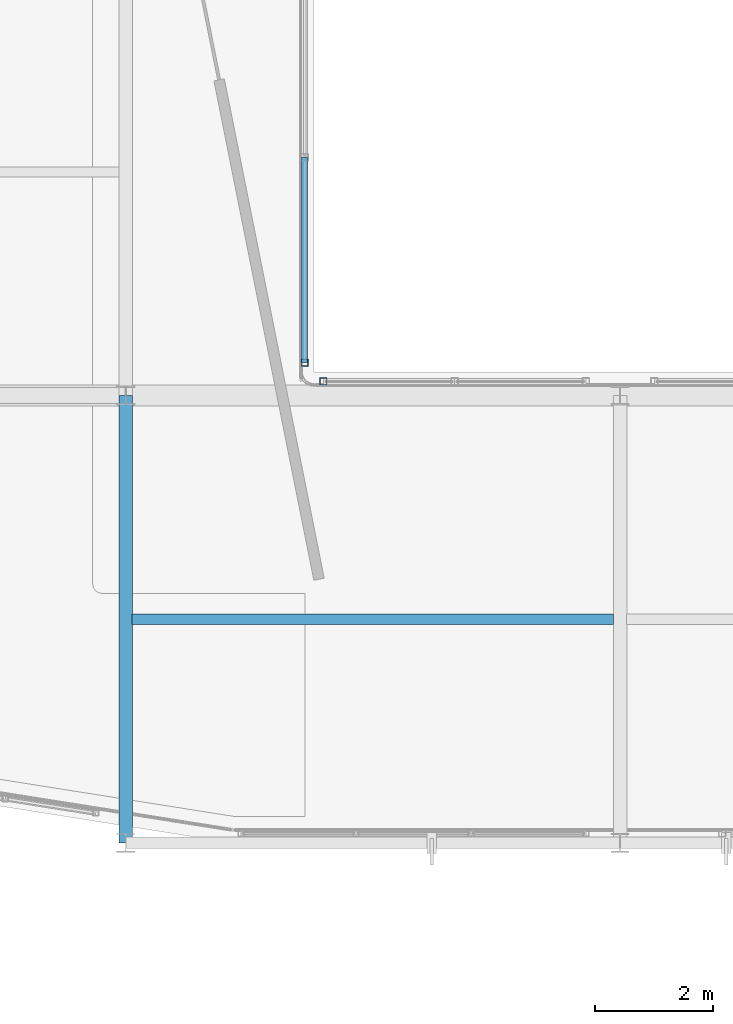
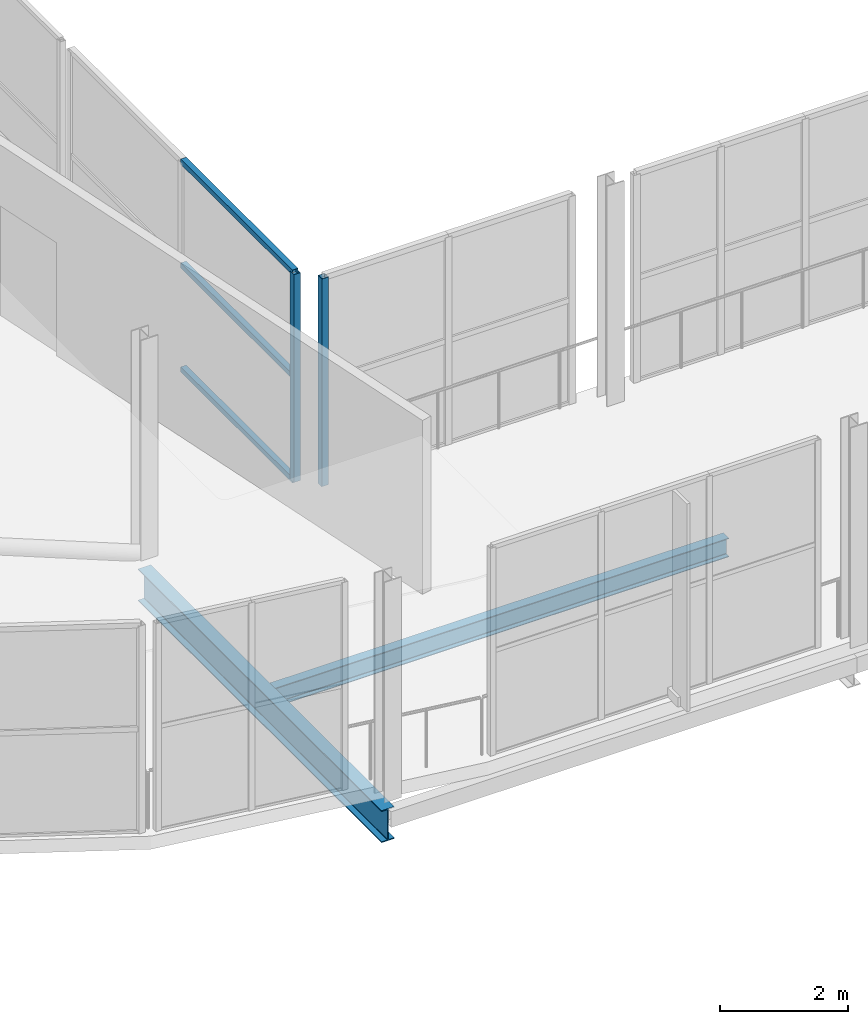
# One storey, part 18 of 151: 5 members, 2 beams, 2 elements without a shape of their own.
"""IFC4 building model written with IfcOpenShell, lengths in metres."""

import ifcopenshell
import ifcopenshell.guid

model = None  # the IFC model being written
_history = None  # IfcOwnerHistory: only IFC2X3 demands one
_inside = {}  # id of a spatial element -> (the spatial element, [elements in it])
_under = {}  # id of a project, library or spatial element -> (it, [spatial elements below it])
_declared = {}  # id of a project -> (the project, [libraries it declares])
_typed = {}  # id of a type object -> (the type object, [elements of that type])
_made_of = {}  # id of a material, layer set ... -> (it, [elements and type objects made of it])


def new_model(schema):
    """Start an empty IFC model of exactly this schema.

    Asked for "IFC4X3", IfcOpenShell would pick the latest addendum, in which some entities
    have other attributes; the version numbers below select the first issue.
    IFC2X3 requires an IfcOwnerHistory on every rooted entity: one is made here for all.
    """
    global model, _history
    if schema == "IFC4X3":
        model = ifcopenshell.file(schema_version=(4, 3, 0, 0))
    else:
        model = ifcopenshell.file(schema=schema)
    _inside.clear()
    _under.clear()
    _declared.clear()
    _typed.clear()
    _made_of.clear()
    _history = None
    if model.schema == "IFC2X3":
        org = make("IfcOrganization", Name="unknown")
        user = make(
            "IfcPersonAndOrganization",
            ThePerson=make("IfcPerson", FamilyName="unknown"),
            TheOrganization=org,
        )
        app = make(
            "IfcApplication",
            ApplicationDeveloper=org,
            Version="unknown",
            ApplicationFullName="unknown",
            ApplicationIdentifier="unknown",
        )
        _history = make(
            "IfcOwnerHistory",
            OwningUser=user,
            OwningApplication=app,
            ChangeAction="ADDED",
            CreationDate=0,
        )
    return model


def make(cls, **values):
    """One entity of the class cls with the attributes given. An attribute that is None is left unset."""
    return model.create_entity(
        cls, **{name: value for name, value in values.items() if value is not None}
    )


def rooted(cls, **values):
    """An entity with a GlobalId (a new one), such as an element, a storey or a relation."""
    return make(cls, GlobalId=ifcopenshell.guid.new(), OwnerHistory=_history, **values)


def si_unit(unit_type, name, prefix=None):
    """IfcSIUnit, for example si_unit("LENGTHUNIT", "METRE", prefix="MILLI")."""
    return make("IfcSIUnit", UnitType=unit_type, Prefix=prefix, Name=name)


def assignment(units):
    """IfcUnitAssignment: the units of a project."""
    return None if units is None else make("IfcUnitAssignment", Units=units)


def point(xyz):
    """IfcCartesianPoint."""
    return None if xyz is None else make("IfcCartesianPoint", Coordinates=xyz)


def direction(xyz):
    """IfcDirection."""
    return None if xyz is None else make("IfcDirection", DirectionRatios=xyz)


def frame(location, z_axis=None, x_axis=None):
    """IfcAxis2Placement3D, a coordinate frame: its origin and axes. An axis left out is left unset."""
    return make(
        "IfcAxis2Placement3D",
        Location=point(location),
        Axis=direction(z_axis),
        RefDirection=direction(x_axis),
    )


def frame_2d(location, x_axis=None):
    """IfcAxis2Placement2D, a coordinate frame in the plane: its origin and x axis."""
    return make(
        "IfcAxis2Placement2D", Location=point(location), RefDirection=direction(x_axis)
    )


def origin():
    """The frame at (0, 0, 0) with its axes left unset."""
    return frame((0.0, 0.0, 0.0))


def origin_2d():
    """The frame at (0, 0) in the plane with its x axis left unset."""
    return frame_2d((0.0, 0.0))


def place(relative_to, where):
    """IfcLocalPlacement: puts the frame where relative to a parent placement (None: the world)."""
    return make(
        "IfcLocalPlacement", PlacementRelTo=relative_to, RelativePlacement=where
    )


def context(
    kind, dimensions, precision=None, world=None, true_north=None, identifier=None
):
    """IfcGeometricRepresentationContext, for example the 3D "Model" context."""
    return make(
        "IfcGeometricRepresentationContext",
        ContextIdentifier=identifier,
        ContextType=kind,
        CoordinateSpaceDimension=dimensions,
        Precision=precision,
        WorldCoordinateSystem=world,
        TrueNorth=true_north,
    )


def subcontext(parent, identifier, kind, view, scale=None):
    """IfcGeometricRepresentationSubContext, for example "Body" below "Model"."""
    return make(
        "IfcGeometricRepresentationSubContext",
        ContextIdentifier=identifier,
        ContextType=kind,
        ParentContext=parent,
        TargetScale=scale,
        TargetView=view,
    )


def project(units=None, contexts=None):
    """IfcProject with its units and contexts."""
    return rooted(
        "IfcProject",
        Name="project",
        RepresentationContexts=contexts,
        UnitsInContext=assignment(units),
    )


def spatial(cls, under=None, at=None, **own):
    """A site, building, storey or space (cls), placed at a placement, below another one or the project."""
    s = rooted(cls, ObjectPlacement=at, **own)
    if under is not None:
        _under.setdefault(under.id(), (under, []))[1].append(s)
    return s


def profile(cls, at=None, kind="AREA", **sizes):
    """A parametric profile (cls). Its sizes go by their IFC names, for example OverallWidth=200.0."""
    return make(cls, ProfileType=kind, Position=at, **sizes)


def hollow_rectangle(**sizes):
    """IfcRectangleHollowProfileDef."""
    return profile("IfcRectangleHollowProfileDef", **sizes)


def i_section(**sizes):
    """IfcIShapeProfileDef."""
    return profile("IfcIShapeProfileDef", **sizes)


def extrude(swept, where, along, depth):
    """IfcExtrudedAreaSolid: the profile swept, set in the frame where, extruded along a direction by depth."""
    return make(
        "IfcExtrudedAreaSolid",
        SweptArea=swept,
        Position=where,
        ExtrudedDirection=direction(along),
        Depth=depth,
    )


def shape(context_of_items, identifier, shape_type, items):
    """IfcShapeRepresentation: the items that make up one representation, for example the "Body"."""
    return make(
        "IfcShapeRepresentation",
        ContextOfItems=context_of_items,
        RepresentationIdentifier=identifier,
        RepresentationType=shape_type,
        Items=items,
    )


def material(Name=None, Category=None):
    """IfcMaterial."""
    return make("IfcMaterial", Name=Name, Category=Category)


def material_profile(
    of_material, cross_section, Name=None, Category=None, Priority=None
):
    """IfcMaterialProfile: a cross section and its material."""
    return make(
        "IfcMaterialProfile",
        Name=Name,
        Material=of_material,
        Profile=cross_section,
        Priority=Priority,
        Category=Category,
    )


def profile_set(profiles, Name=None, composite=None):
    """IfcMaterialProfileSet."""
    return make(
        "IfcMaterialProfileSet",
        Name=Name,
        MaterialProfiles=profiles,
        CompositeProfile=composite,
    )


def made_of(thing, what):
    """Note that an element or type object is made of a material, layer set ...; save() writes the relation."""
    if what is not None:
        _made_of.setdefault(what.id(), (what, []))[1].append(thing)
    return thing


def type_object(cls, material=None, **own):
    """A type object (cls), such as IfcWallType, which elements share."""
    return made_of(rooted(cls, **own), material)


def element(
    cls,
    number,
    at=None,
    inside=None,
    cuts=None,
    type_object=None,
    material=None,
    context=None,
    identifier="Body",
    shape_type=None,
    held_by="IfcProductDefinitionShape",
    body=None,
    shapes=None,
    **own,
):
    """One element of the class cls, such as IfcWall. Its Tag is "e" and its number.

    at: its placement. inside: the storey or other place that contains it. cuts: it is an
    opening in that element (IfcRelVoidsElement). A single representation is given by context,
    identifier, shape_type and body (its items); several are given by shapes. held_by: the class
    of the entity that holds the representations. save() writes the other relations.
    """
    e = rooted(cls, Tag="e%d" % number, ObjectPlacement=at, **own)
    if body is not None:
        shapes = [shape(context, identifier, shape_type, body)]
    if shapes is not None:
        e.Representation = make(held_by, Representations=shapes)
    if inside is not None:
        _inside.setdefault(inside.id(), (inside, []))[1].append(e)
    if cuts is not None:
        rooted(
            "IfcRelVoidsElement", RelatingBuildingElement=cuts, RelatedOpeningElement=e
        )
    if type_object is not None:
        _typed.setdefault(type_object.id(), (type_object, []))[1].append(e)
    return made_of(e, material)


def aggregate(whole, parts):
    """IfcRelAggregates: a whole, such as a stair, and the parts it consists of."""
    return rooted("IfcRelAggregates", RelatingObject=whole, RelatedObjects=parts)


def save(model, path):
    """Write the relations noted so far, then the file.

    IfcRelAggregates (storeys below a building ...), IfcRelContainedInSpatialStructure (elements
    in a storey), IfcRelDefinesByType, IfcRelAssociatesMaterial and IfcRelDeclares: one each for
    every whole, place, type object, material and project.
    """
    for whole, parts in _under.values():
        aggregate(whole, parts)
    for where, things in _inside.values():
        rooted(
            "IfcRelContainedInSpatialStructure",
            RelatedElements=things,
            RelatingStructure=where,
        )
    for kind, things in _typed.values():
        rooted("IfcRelDefinesByType", RelatedObjects=things, RelatingType=kind)
    for what, things in _made_of.values():
        rooted("IfcRelAssociatesMaterial", RelatedObjects=things, RelatingMaterial=what)
    for by, libraries in _declared.values():
        rooted("IfcRelDeclares", RelatingContext=by, RelatedDefinitions=libraries)
    model.write(path)


model = new_model("IFC4")

# Units and contexts
model_context = context("Model", 3, precision=1e-05, world=origin(), true_north=direction((0.0, 1.0)))
body_context = subcontext(model_context, "Body", "Model", "MODEL_VIEW")
ifc_project = project(units=[si_unit("LENGTHUNIT", "METRE"), si_unit("AREAUNIT", "SQUARE_METRE"), si_unit("VOLUMEUNIT", "CUBIC_METRE"), si_unit("PLANEANGLEUNIT", "RADIAN"), si_unit("MASSUNIT", "GRAM", prefix="KILO")], contexts=[model_context])

# Site, building, storey
site_placement = place(None, origin())
site = spatial("IfcSite", under=ifc_project, at=site_placement, CompositionType="ELEMENT")
building_placement = place(site_placement, origin())
building = spatial("IfcBuilding", under=site, at=building_placement, Name="Zuvorla Pavilion Media Centre", CompositionType="ELEMENT")
storey_placement = place(building_placement, frame((0.0, 0.0, 13.800048828125)))
storey = spatial("IfcBuildingStorey", under=building, at=storey_placement, Name="L03", CompositionType="ELEMENT", Elevation=13.800048828125)

# Beams
ifc_material_1 = material(Name="Steel S355", Category="steel")
ifc_material_profile_1 = material_profile(ifc_material_1, i_section(OverallWidth=0.172119140625, OverallDepth=0.35791015625, WebThickness=0.008056640625, FlangeThickness=0.012939453125, FilletRadius=0.01025390625, at=origin_2d()), Name="UB 356x171x57")
ifc_profile_set_1 = profile_set([ifc_material_profile_1], Name="Steel S355")
beam_type_1 = type_object("IfcBeamType", Name="BM-UB356", PredefinedType="JOIST", material=ifc_profile_set_1)
beam_1_placement = place(storey_placement, frame((24.909423828125, 47.800048828125, -0.43701171875), z_axis=(1.0, 0.0, 0.0), x_axis=(0.0, 1.0, 0.0)))
element("IfcBeam", 1, at=beam_1_placement, inside=storey, type_object=beam_type_1, Name="L03 joist J03 1236", PredefinedType="JOIST", context=body_context, shape_type="SweptSolid", body=[
    extrude(i_section(OverallWidth=0.172119140625, OverallDepth=0.35791015625, WebThickness=0.008056640625, FlangeThickness=0.012939453125, FilletRadius=0.01025390625, at=origin_2d()), origin(), (0.0, 0.0, 1.0), 8.18115234375),
])
ifc_material_profile_2 = material_profile(ifc_material_1, i_section(OverallWidth=0.22900390625, OverallDepth=0.6123046875, WebThickness=0.011962890625, FlangeThickness=0.01953125, FilletRadius=0.0126953125, at=origin_2d()), Name="UB 610x229x125")
ifc_profile_set_2 = profile_set([ifc_material_profile_2], Name="Steel S355")
beam_type_2 = type_object("IfcBeamType", Name="BM-UB610", PredefinedType="BEAM", material=ifc_profile_set_2)
beam_2_placement = place(storey_placement, frame((24.800048828125, 44.0, -0.564208984375), z_axis=(0.0, 1.0, 0.0), x_axis=(-1.0, 0.0, 0.0)))
element("IfcBeam", 2, at=beam_2_placement, inside=storey, type_object=beam_type_2, Name="L03 beam B07 1151", PredefinedType="BEAM", context=body_context, shape_type="SweptSolid", body=[
    extrude(i_section(OverallWidth=0.22900390625, OverallDepth=0.6123046875, WebThickness=0.011962890625, FlangeThickness=0.01953125, FilletRadius=0.0126953125, at=origin_2d()), origin(), (0.0, 0.0, 1.0), 7.60009765625),
])

# Curtain wall, member
ifc_material_2 = material(Name="Unitised anodised aluminium and solar glass curtain wall", Category="aluminium")
curtain_wall_type_1 = type_object("IfcCurtainWallType", Name="CW-SYS-28", PredefinedType="USERDEFINED", material=ifc_material_2)
curtain_wall_1_placement = place(storey_placement, origin())
curtain_wall_1 = element("IfcCurtainWall", 3, at=curtain_wall_1_placement, inside=storey, type_object=curtain_wall_type_1, Name="L03 curtain wall CW28 148", ObjectType="CURTAIN WALL", PredefinedType="USERDEFINED")
ifc_material_3 = material(Name="Anodised aluminium 6063-T6", Category="aluminium")
ifc_material_profile_3 = material_profile(ifc_material_3, hollow_rectangle(XDim=0.1201171875, YDim=0.1201171875, WallThickness=0.0048828125, at=origin_2d()), Name="ALU MULL 120x120")
ifc_profile_set_3 = profile_set([ifc_material_profile_3], Name="Anodised aluminium 6063-T6")
member_type_1 = type_object("IfcMemberType", Name="CW-MULL-120", PredefinedType="MULLION", material=ifc_profile_set_3)
member_1_placement = place(storey_placement, frame((28.159912109375, 51.840087890625, 0.0), z_axis=(0.0, 0.0, 1.0), x_axis=(1.0, 0.0, 0.0)))
member_1 = element("IfcMember", 4, at=member_1_placement, type_object=member_type_1, Name="CW28 mullion 1", PredefinedType="MULLION", context=body_context, shape_type="SweptSolid", body=[
    extrude(hollow_rectangle(XDim=0.1201171875, YDim=0.1201171875, WallThickness=0.0048828125, at=origin_2d()), origin(), (0.0, 0.0, 1.0), 3.9599609375),
])
aggregate(curtain_wall_1, [member_1])

# Curtain wall, members
curtain_wall_type_2 = type_object("IfcCurtainWallType", Name="CW-SYS-57", PredefinedType="USERDEFINED", material=ifc_material_2)
curtain_wall_2_placement = place(storey_placement, origin())
curtain_wall_2 = element("IfcCurtainWall", 5, at=curtain_wall_2_placement, inside=storey, type_object=curtain_wall_type_2, Name="L03 curtain wall CW57 186", ObjectType="CURTAIN WALL", PredefinedType="USERDEFINED")
member_2_placement = place(storey_placement, frame((27.840087890625, 52.159912109375, 0.0), z_axis=(0.0, 0.0, 1.0), x_axis=(1.0, 0.0, 0.0)))
member_2 = element("IfcMember", 6, at=member_2_placement, type_object=member_type_1, Name="CW57 mullion 3", PredefinedType="MULLION", context=body_context, shape_type="SweptSolid", body=[
    extrude(hollow_rectangle(XDim=0.1201171875, YDim=0.1201171875, WallThickness=0.0048828125, at=origin_2d()), origin(), (0.0, 0.0, 1.0), 3.9599609375),
])
ifc_material_profile_4 = material_profile(ifc_material_3, hollow_rectangle(XDim=0.10009765625, YDim=0.10009765625, WallThickness=0.00439453125, at=origin_2d()), Name="ALU TRAN 100x100")
ifc_profile_set_4 = profile_set([ifc_material_profile_4], Name="Anodised aluminium 6063-T6")
member_type_2 = type_object("IfcMemberType", Name="CW-TRAN-100", PredefinedType="USERDEFINED", material=ifc_profile_set_4)
member_3_placement = place(storey_placement, frame((27.840087890625, 55.64990234375, 0.0), z_axis=(0.0, -1.0, 0.0), x_axis=(1.0, 0.0, 0.0)))
member_3 = element("IfcMember", 7, at=member_3_placement, type_object=member_type_2, Name="CW57 transom 2.1", ObjectType="TRANSOM", PredefinedType="USERDEFINED", context=body_context, shape_type="SweptSolid", body=[
    extrude(hollow_rectangle(XDim=0.10009765625, YDim=0.10009765625, WallThickness=0.00439453125, at=origin_2d()), origin(), (0.0, 0.0, 1.0), 3.489990234375),
])
member_4_placement = place(storey_placement, frame((27.840087890625, 55.64990234375, 1.97998046875), z_axis=(0.0, -1.0, 0.0), x_axis=(1.0, 0.0, 0.0)))
member_4 = element("IfcMember", 8, at=member_4_placement, type_object=member_type_2, Name="CW57 transom 2.2", ObjectType="TRANSOM", PredefinedType="USERDEFINED", context=body_context, shape_type="SweptSolid", body=[
    extrude(hollow_rectangle(XDim=0.10009765625, YDim=0.10009765625, WallThickness=0.00439453125, at=origin_2d()), origin(), (0.0, 0.0, 1.0), 3.489990234375),
])
member_5_placement = place(storey_placement, frame((27.840087890625, 55.64990234375, 3.9599609375), z_axis=(0.0, -1.0, 0.0), x_axis=(1.0, 0.0, 0.0)))
member_5 = element("IfcMember", 9, at=member_5_placement, type_object=member_type_2, Name="CW57 transom 2.3", ObjectType="TRANSOM", PredefinedType="USERDEFINED", context=body_context, shape_type="SweptSolid", body=[
    extrude(hollow_rectangle(XDim=0.10009765625, YDim=0.10009765625, WallThickness=0.00439453125, at=origin_2d()), origin(), (0.0, 0.0, 1.0), 3.489990234375),
])
aggregate(curtain_wall_2, [member_2, member_3, member_4, member_5])

save(model, "model.ifc")
